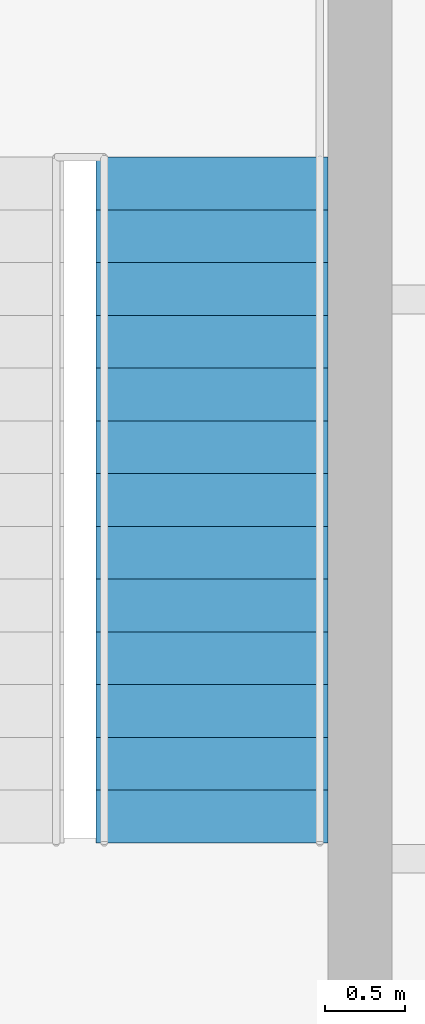
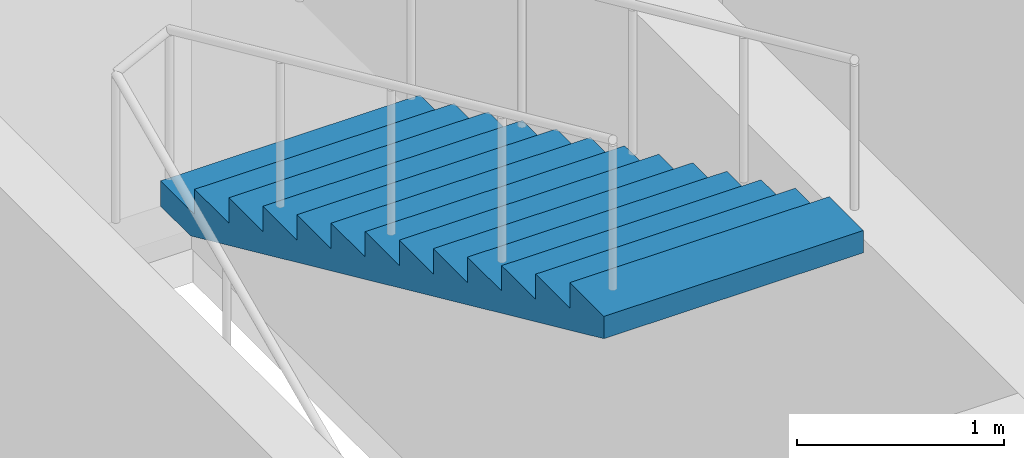
# One storey, part 10 of 11: 1 stair flight, 1 element without a shape of its own.
"""IFC4 building model written with IfcOpenShell, lengths in metres."""

from ifc_helpers import new_model, si_unit, direction, frame, origin, place, context, subcontext, project, spatial, polygons, material, type_object, element, aggregate, save


model = new_model("IFC4")

# Units and contexts
model_context = context("Model", 3, precision=1e-05, world=origin(), true_north=direction((0.0, 1.0)))
body_context = subcontext(model_context, "Body", "Model", "MODEL_VIEW")
ifc_project = project(units=[si_unit("LENGTHUNIT", "METRE"), si_unit("AREAUNIT", "SQUARE_METRE"), si_unit("VOLUMEUNIT", "CUBIC_METRE"), si_unit("PLANEANGLEUNIT", "RADIAN"), si_unit("MASSUNIT", "GRAM", prefix="KILO")], contexts=[model_context])

# Site, building, storey
site_placement = place(None, origin())
site = spatial("IfcSite", under=ifc_project, at=site_placement, CompositionType="ELEMENT")
building_placement = place(site_placement, origin())
building = spatial("IfcBuilding", under=site, at=building_placement, Name="Njiva Tower", CompositionType="ELEMENT")
storey_placement = place(building_placement, frame((0.0, 0.0, 316.8)))
storey = spatial("IfcBuildingStorey", under=building, at=storey_placement, Name="L72", CompositionType="ELEMENT", Elevation=316.8)

# Stair, stair flight
ifc_material = material(Name="Concrete C40/50", Category="concrete")
stair_type = type_object("IfcStairType", Name="ST3 Exit stair 1450", PredefinedType="HALF_TURN_STAIR", material=ifc_material)
stair_placement = place(storey_placement, origin())
stair = element("IfcStair", 1, at=stair_placement, inside=storey, type_object=stair_type, Name="Stair B", PredefinedType="HALF_TURN_STAIR")
stair_flight_type = type_object("IfcStairFlightType", Name="FL3 Stair flight 1450", PredefinedType="STRAIGHT", material=ifc_material)
stair_flight_placement = place(storey_placement, frame((13.375, 15.39, 2.1), z_axis=(0.0, 0.0, 1.0), x_axis=(0.0, -1.0, 0.0)))
stair_flight = element("IfcStairFlight", 2, at=stair_flight_placement, type_object=stair_flight_type, Name="ST-B flight 2", NumberOfRisers=14, NumberOfTreads=13, PredefinedType="STRAIGHT", RiserHeight=0.15, TreadLength=0.33, context=body_context, shape_type="Tessellation", body=[
    polygons([(0.0, 0.725, 0.0), (0.0, 0.3625, 0.0), (0.0, 0.0, 0.0), (0.0, -0.3625, 0.0), (0.0, -0.725, 0.0), (0.0, 0.725, 0.15), (0.0, 0.3625, 0.15), (0.0, 0.0, 0.15), (0.0, -0.3625, 0.15), (0.0, -0.725, 0.15), (0.33, 0.725, 0.15), (0.33, 0.3625, 0.15), (0.33, 0.0, 0.15), (0.33, -0.3625, 0.15), (0.33, -0.725, 0.15), (0.33, 0.725, 0.3), (0.33, 0.3625, 0.3), (0.33, 0.0, 0.3), (0.33, -0.3625, 0.3), (0.33, -0.725, 0.3), (0.66, 0.725, 0.3), (0.66, 0.3625, 0.3), (0.66, 0.0, 0.3), (0.66, -0.3625, 0.3), (0.66, -0.725, 0.3), (0.66, 0.725, 0.45), (0.66, 0.3625, 0.45), (0.66, 0.0, 0.45), (0.66, -0.3625, 0.45), (0.66, -0.725, 0.45), (0.99, 0.725, 0.45), (0.99, 0.3625, 0.45), (0.99, 0.0, 0.45), (0.99, -0.3625, 0.45), (0.99, -0.725, 0.45), (0.99, 0.725, 0.6), (0.99, 0.3625, 0.6), (0.99, 0.0, 0.6), (0.99, -0.3625, 0.6), (0.99, -0.725, 0.6), (1.32, 0.725, 0.6), (1.32, 0.3625, 0.6), (1.32, 0.0, 0.6), (1.32, -0.3625, 0.6), (1.32, -0.725, 0.6), (1.32, 0.725, 0.75), (1.32, 0.3625, 0.75), (1.32, 0.0, 0.75), (1.32, -0.3625, 0.75), (1.32, -0.725, 0.75), (1.65, 0.725, 0.75), (1.65, 0.3625, 0.75), (1.65, 0.0, 0.75), (1.65, -0.3625, 0.75), (1.65, -0.725, 0.75), (1.65, 0.725, 0.9), (1.65, 0.3625, 0.9), (1.65, 0.0, 0.9), (1.65, -0.3625, 0.9), (1.65, -0.725, 0.9), (1.98, 0.725, 0.9), (1.98, 0.3625, 0.9), (1.98, 0.0, 0.9), (1.98, -0.3625, 0.9), (1.98, -0.725, 0.9), (1.98, 0.725, 1.05), (1.98, 0.3625, 1.05), (1.98, 0.0, 1.05), (1.98, -0.3625, 1.05), (1.98, -0.725, 1.05), (2.31, 0.725, 1.05), (2.31, 0.3625, 1.05), (2.31, 0.0, 1.05), (2.31, -0.3625, 1.05), (2.31, -0.725, 1.05), (2.31, 0.725, 1.2), (2.31, 0.3625, 1.2), (2.31, 0.0, 1.2), (2.31, -0.3625, 1.2), (2.31, -0.725, 1.2), (2.64, 0.725, 1.2), (2.64, 0.3625, 1.2), (2.64, 0.0, 1.2), (2.64, -0.3625, 1.2), (2.64, -0.725, 1.2), (2.64, 0.725, 1.35), (2.64, 0.3625, 1.35), (2.64, 0.0, 1.35), (2.64, -0.3625, 1.35), (2.64, -0.725, 1.35), (2.97, 0.725, 1.35), (2.97, 0.3625, 1.35), (2.97, 0.0, 1.35), (2.97, -0.3625, 1.35), (2.97, -0.725, 1.35), (2.97, 0.725, 1.5), (2.97, 0.3625, 1.5), (2.97, 0.0, 1.5), (2.97, -0.3625, 1.5), (2.97, -0.725, 1.5), (3.3, 0.725, 1.5), (3.3, 0.3625, 1.5), (3.3, 0.0, 1.5), (3.3, -0.3625, 1.5), (3.3, -0.725, 1.5), (3.3, 0.725, 1.65), (3.3, 0.3625, 1.65), (3.3, 0.0, 1.65), (3.3, -0.3625, 1.65), (3.3, -0.725, 1.65), (3.63, 0.725, 1.65), (3.63, 0.3625, 1.65), (3.63, 0.0, 1.65), (3.63, -0.3625, 1.65), (3.63, -0.725, 1.65), (3.63, 0.725, 1.8), (3.63, 0.3625, 1.8), (3.63, 0.0, 1.8), (3.63, -0.3625, 1.8), (3.63, -0.725, 1.8), (3.96, 0.725, 1.8), (3.96, 0.3625, 1.8), (3.96, 0.0, 1.8), (3.96, -0.3625, 1.8), (3.96, -0.725, 1.8), (3.96, 0.725, 1.95), (3.96, 0.3625, 1.95), (3.96, 0.0, 1.95), (3.96, -0.3625, 1.95), (3.96, -0.725, 1.95), (4.29, 0.725, 1.95), (4.29, 0.3625, 1.95), (4.29, 0.0, 1.95), (4.29, -0.3625, 1.95), (4.29, -0.725, 1.95), (4.29, 0.725, 1.8182), (4.29, 0.3625, 1.8182), (4.29, 0.0, 1.8182), (4.29, -0.3625, 1.8182), (4.29, -0.725, 1.8182), (0.29, 0.725, 0.0), (0.29, 0.3625, 0.0), (0.29, 0.0, 0.0), (0.29, -0.3625, 0.0), (0.29, -0.725, 0.0)], [[[1, 6, 11, 16, 21, 26, 31, 36, 41, 46, 51, 56, 61, 66, 71, 76, 81, 86, 91, 96, 101, 106, 111, 116, 121, 126, 131, 136, 141]], [[145, 140, 135, 130, 125, 120, 115, 110, 105, 100, 95, 90, 85, 80, 75, 70, 65, 60, 55, 50, 45, 40, 35, 30, 25, 20, 15, 10, 5]], [[6, 1, 2, 7]], [[7, 2, 3, 8]], [[8, 3, 4, 9]], [[9, 4, 5, 10]], [[11, 6, 7, 12]], [[12, 7, 8, 13]], [[13, 8, 9, 14]], [[14, 9, 10, 15]], [[16, 11, 12, 17]], [[17, 12, 13, 18]], [[18, 13, 14, 19]], [[19, 14, 15, 20]], [[21, 16, 17, 22]], [[22, 17, 18, 23]], [[23, 18, 19, 24]], [[24, 19, 20, 25]], [[26, 21, 22, 27]], [[27, 22, 23, 28]], [[28, 23, 24, 29]], [[29, 24, 25, 30]], [[31, 26, 27, 32]], [[32, 27, 28, 33]], [[33, 28, 29, 34]], [[34, 29, 30, 35]], [[36, 31, 32, 37]], [[37, 32, 33, 38]], [[38, 33, 34, 39]], [[39, 34, 35, 40]], [[41, 36, 37, 42]], [[42, 37, 38, 43]], [[43, 38, 39, 44]], [[44, 39, 40, 45]], [[46, 41, 42, 47]], [[47, 42, 43, 48]], [[48, 43, 44, 49]], [[49, 44, 45, 50]], [[51, 46, 47, 52]], [[52, 47, 48, 53]], [[53, 48, 49, 54]], [[54, 49, 50, 55]], [[56, 51, 52, 57]], [[57, 52, 53, 58]], [[58, 53, 54, 59]], [[59, 54, 55, 60]], [[61, 56, 57, 62]], [[62, 57, 58, 63]], [[63, 58, 59, 64]], [[64, 59, 60, 65]], [[66, 61, 62, 67]], [[67, 62, 63, 68]], [[68, 63, 64, 69]], [[69, 64, 65, 70]], [[71, 66, 67, 72]], [[72, 67, 68, 73]], [[73, 68, 69, 74]], [[74, 69, 70, 75]], [[76, 71, 72, 77]], [[77, 72, 73, 78]], [[78, 73, 74, 79]], [[79, 74, 75, 80]], [[81, 76, 77, 82]], [[82, 77, 78, 83]], [[83, 78, 79, 84]], [[84, 79, 80, 85]], [[86, 81, 82, 87]], [[87, 82, 83, 88]], [[88, 83, 84, 89]], [[89, 84, 85, 90]], [[91, 86, 87, 92]], [[92, 87, 88, 93]], [[93, 88, 89, 94]], [[94, 89, 90, 95]], [[96, 91, 92, 97]], [[97, 92, 93, 98]], [[98, 93, 94, 99]], [[99, 94, 95, 100]], [[101, 96, 97, 102]], [[102, 97, 98, 103]], [[103, 98, 99, 104]], [[104, 99, 100, 105]], [[106, 101, 102, 107]], [[107, 102, 103, 108]], [[108, 103, 104, 109]], [[109, 104, 105, 110]], [[111, 106, 107, 112]], [[112, 107, 108, 113]], [[113, 108, 109, 114]], [[114, 109, 110, 115]], [[116, 111, 112, 117]], [[117, 112, 113, 118]], [[118, 113, 114, 119]], [[119, 114, 115, 120]], [[121, 116, 117, 122]], [[122, 117, 118, 123]], [[123, 118, 119, 124]], [[124, 119, 120, 125]], [[126, 121, 122, 127]], [[127, 122, 123, 128]], [[128, 123, 124, 129]], [[129, 124, 125, 130]], [[131, 126, 127, 132]], [[132, 127, 128, 133]], [[133, 128, 129, 134]], [[134, 129, 130, 135]], [[136, 131, 132, 137]], [[137, 132, 133, 138]], [[138, 133, 134, 139]], [[139, 134, 135, 140]], [[141, 136, 137, 142]], [[142, 137, 138, 143]], [[143, 138, 139, 144]], [[144, 139, 140, 145]], [[1, 141, 142, 2]], [[2, 142, 143, 3]], [[3, 143, 144, 4]], [[4, 144, 145, 5]]], closed=True),
])
aggregate(stair, [stair_flight])

save(model, "model.ifc")
